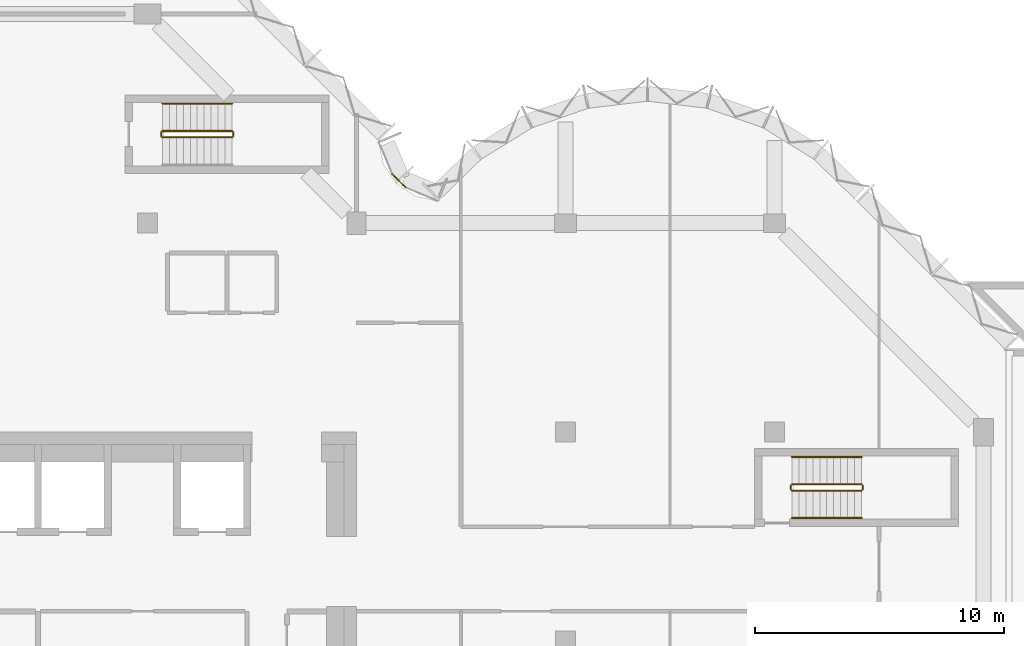
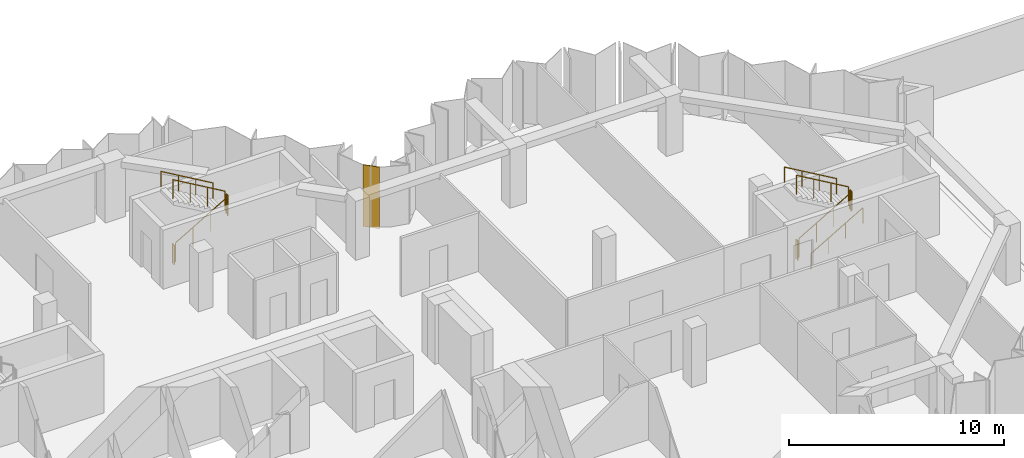
# One storey, part 9 of 9: 11 railings, 1 covering, 1 element without a shape of its own.
"""IFC4 building model written with IfcOpenShell, lengths in metres."""

from ifc_helpers import new_model, si_unit, direction, frame, origin, origin_2d, place, context, subcontext, project, spatial, polyline, circle, outline, extrude, material, layer, layer_set, type_object, element, aggregate, save


model = new_model("IFC4")

# Units and contexts
model_context = context("Model", 3, precision=1e-05, world=origin(), true_north=direction((0.0, 1.0)))
body_context = subcontext(model_context, "Body", "Model", "MODEL_VIEW")
ifc_project = project(units=[si_unit("LENGTHUNIT", "METRE"), si_unit("AREAUNIT", "SQUARE_METRE"), si_unit("VOLUMEUNIT", "CUBIC_METRE"), si_unit("PLANEANGLEUNIT", "RADIAN"), si_unit("MASSUNIT", "GRAM", prefix="KILO")], contexts=[model_context])

# Site, building, storey
site_placement = place(None, origin())
site = spatial("IfcSite", under=ifc_project, at=site_placement, CompositionType="ELEMENT")
building_placement = place(site_placement, origin())
building = spatial("IfcBuilding", under=site, at=building_placement, Name="Brevane Broadcast Tower", CompositionType="ELEMENT")
storey_placement = place(building_placement, frame((0.0, 0.0, 222.89990234375)))
storey = spatial("IfcBuildingStorey", under=building, at=storey_placement, Name="L56", CompositionType="ELEMENT", Elevation=222.89990234375)

# Railings
ifc_material_1 = material(Name="Steel S355", Category="steel")
railing_type_1 = type_object("IfcRailingType", Name="Exit stair guard", PredefinedType="GUARDRAIL", material=ifc_material_1)
railing_1_placement = place(storey_placement, frame((17.39990234375, 28.64990234375, 0.163818359375)))
element("IfcRailing", 1, at=railing_1_placement, inside=storey, type_object=railing_type_1, Name="L56 ST-3 stair guard 1", PredefinedType="GUARDRAIL", context=body_context, shape_type="SweptSolid", body=[
    extrude(circle(Radius=0.02392578125, at=origin_2d()), frame((0.0, 0.0, 1.076171875), z_axis=(0.863393664356, 0.0, 0.504530851732), x_axis=(0.0, 1.0, 0.0)), (0.0, 0.0, 1.0), 3.2431640625),
    extrude(circle(Radius=0.02099609375, at=origin_2d()), origin(), (0.0, 0.0, 1.0), 1.052001953125),
    extrude(circle(Radius=0.02099609375, at=origin_2d()), frame((0.933349609375, 0.0, 0.54541015625)), (0.0, 0.0, 1.0), 1.052001953125),
    extrude(circle(Radius=0.02099609375, at=origin_2d()), frame((1.86669921875, 0.0, 1.0908203125)), (0.0, 0.0, 1.0), 1.052001953125),
    extrude(circle(Radius=0.02099609375, at=origin_2d()), frame((2.800048828125, 0.0, 1.63623046875)), (0.0, 0.0, 1.0), 1.052001953125),
])
railing_2_placement = place(storey_placement, frame((20.25, 28.699951171875, 1.800048828125)))
element("IfcRailing", 2, at=railing_2_placement, inside=storey, type_object=railing_type_1, Name="L56 ST-3 stair guard 2", PredefinedType="GUARDRAIL", context=body_context, shape_type="SweptSolid", body=[
    extrude(circle(Radius=0.02392578125, at=origin_2d()), frame((0.0, 0.0, 1.076171875), z_axis=(0.0, 1.0, 0.0), x_axis=(-1.0, 0.0, 0.0)), (0.0, 0.0, 1.0), 0.150146484375),
    extrude(circle(Radius=0.02099609375, at=origin_2d()), origin(), (0.0, 0.0, 1.0), 1.052001953125),
    extrude(circle(Radius=0.02099609375, at=origin_2d()), frame((0.0, 0.150146484375, 0.0)), (0.0, 0.0, 1.0), 1.052001953125),
])
railing_3_placement = place(storey_placement, frame((20.199951171875, 28.89990234375, 1.963623046875)))
element("IfcRailing", 3, at=railing_3_placement, inside=storey, type_object=railing_type_1, Name="L56 ST-3 stair guard 3", PredefinedType="GUARDRAIL", context=body_context, shape_type="SweptSolid", body=[
    extrude(circle(Radius=0.02392578125, at=origin_2d()), frame((0.0, 0.0, 1.076171875), z_axis=(-0.863360870873, 0.0, 0.504586966384), x_axis=(0.0, -1.0, 0.0)), (0.0, 0.0, 1.0), 3.2431640625),
    extrude(circle(Radius=0.02099609375, at=origin_2d()), origin(), (0.0, 0.0, 1.0), 1.052001953125),
    extrude(circle(Radius=0.02099609375, at=origin_2d()), frame((-0.933349609375, 0.0, 0.54541015625)), (0.0, 0.0, 1.0), 1.052001953125),
    extrude(circle(Radius=0.02099609375, at=origin_2d()), frame((-1.86669921875, 0.0, 1.091064453125)), (0.0, 0.0, 1.0), 1.052001953125),
    extrude(circle(Radius=0.02099609375, at=origin_2d()), frame((-2.800048828125, 0.0, 1.636474609375)), (0.0, 0.0, 1.0), 1.052001953125),
])
railing_4_placement = place(storey_placement, frame((17.35009765625, 28.699951171875, 0.0)))
element("IfcRailing", 4, at=railing_4_placement, inside=storey, type_object=railing_type_1, Name="L56 ST-3 stair guard 4", PredefinedType="GUARDRAIL", context=body_context, shape_type="SweptSolid", body=[
    extrude(circle(Radius=0.02392578125, at=origin_2d()), frame((0.0, 0.0, 1.076171875), z_axis=(0.0, 1.0, 0.0), x_axis=(-1.0, 0.0, 0.0)), (0.0, 0.0, 1.0), 0.150146484375),
    extrude(circle(Radius=0.02099609375, at=origin_2d()), origin(), (0.0, 0.0, 1.0), 1.052001953125),
    extrude(circle(Radius=0.02099609375, at=origin_2d()), frame((0.0, 0.150146484375, 0.0)), (0.0, 0.0, 1.0), 1.052001953125),
])
railing_5_placement = place(storey_placement, frame((42.699951171875, 14.449951171875, 0.163818359375)))
element("IfcRailing", 5, at=railing_5_placement, inside=storey, type_object=railing_type_1, Name="L56 ST-4 stair guard 1", PredefinedType="GUARDRAIL", context=body_context, shape_type="SweptSolid", body=[
    extrude(circle(Radius=0.02392578125, at=origin_2d()), frame((0.0, 0.0, 1.076171875), z_axis=(0.863393664356, 0.0, 0.504530851732), x_axis=(0.0, 1.0, 0.0)), (0.0, 0.0, 1.0), 3.2431640625),
    extrude(circle(Radius=0.02099609375, at=origin_2d()), origin(), (0.0, 0.0, 1.0), 1.052001953125),
    extrude(circle(Radius=0.02099609375, at=origin_2d()), frame((0.933349609375, 0.0, 0.54541015625)), (0.0, 0.0, 1.0), 1.052001953125),
    extrude(circle(Radius=0.02099609375, at=origin_2d()), frame((1.86669921875, 0.0, 1.0908203125)), (0.0, 0.0, 1.0), 1.052001953125),
    extrude(circle(Radius=0.02099609375, at=origin_2d()), frame((2.800048828125, 0.0, 1.63623046875)), (0.0, 0.0, 1.0), 1.052001953125),
])
railing_6_placement = place(storey_placement, frame((45.550048828125, 14.5, 1.800048828125)))
element("IfcRailing", 6, at=railing_6_placement, inside=storey, type_object=railing_type_1, Name="L56 ST-4 stair guard 2", PredefinedType="GUARDRAIL", context=body_context, shape_type="SweptSolid", body=[
    extrude(circle(Radius=0.02392578125, at=origin_2d()), frame((0.0, 0.0, 1.076171875), z_axis=(0.0, 1.0, 0.0), x_axis=(-1.0, 0.0, 0.0)), (0.0, 0.0, 1.0), 0.14990234375),
    extrude(circle(Radius=0.02099609375, at=origin_2d()), origin(), (0.0, 0.0, 1.0), 1.052001953125),
    extrude(circle(Radius=0.02099609375, at=origin_2d()), frame((0.0, 0.14990234375, 0.0)), (0.0, 0.0, 1.0), 1.052001953125),
])
railing_7_placement = place(storey_placement, frame((45.5, 14.699951171875, 1.963623046875)))
element("IfcRailing", 7, at=railing_7_placement, inside=storey, type_object=railing_type_1, Name="L56 ST-4 stair guard 3", PredefinedType="GUARDRAIL", context=body_context, shape_type="SweptSolid", body=[
    extrude(circle(Radius=0.02392578125, at=origin_2d()), frame((0.0, 0.0, 1.076171875), z_axis=(-0.863360870873, 0.0, 0.504586966384), x_axis=(0.0, -1.0, 0.0)), (0.0, 0.0, 1.0), 3.2431640625),
    extrude(circle(Radius=0.02099609375, at=origin_2d()), origin(), (0.0, 0.0, 1.0), 1.052001953125),
    extrude(circle(Radius=0.02099609375, at=origin_2d()), frame((-0.933349609375, 0.0, 0.54541015625)), (0.0, 0.0, 1.0), 1.052001953125),
    extrude(circle(Radius=0.02099609375, at=origin_2d()), frame((-1.86669921875, 0.0, 1.091064453125)), (0.0, 0.0, 1.0), 1.052001953125),
    extrude(circle(Radius=0.02099609375, at=origin_2d()), frame((-2.800048828125, 0.0, 1.636474609375)), (0.0, 0.0, 1.0), 1.052001953125),
])
railing_8_placement = place(storey_placement, frame((42.64990234375, 14.5, 0.0)))
element("IfcRailing", 8, at=railing_8_placement, inside=storey, type_object=railing_type_1, Name="L56 ST-4 stair guard 4", PredefinedType="GUARDRAIL", context=body_context, shape_type="SweptSolid", body=[
    extrude(circle(Radius=0.02392578125, at=origin_2d()), frame((0.0, 0.0, 1.076171875), z_axis=(0.0, 1.0, 0.0), x_axis=(-1.0, 0.0, 0.0)), (0.0, 0.0, 1.0), 0.14990234375),
    extrude(circle(Radius=0.02099609375, at=origin_2d()), origin(), (0.0, 0.0, 1.0), 1.052001953125),
    extrude(circle(Radius=0.02099609375, at=origin_2d()), frame((0.0, 0.14990234375, 0.0)), (0.0, 0.0, 1.0), 1.052001953125),
])
railing_type_2 = type_object("IfcRailingType", Name="Exit stair handrail", PredefinedType="HANDRAIL", material=ifc_material_1)
railing_9_placement = place(storey_placement, frame((20.199951171875, 30.0, 1.963623046875)))
element("IfcRailing", 9, at=railing_9_placement, inside=storey, type_object=railing_type_2, Name="L56 ST-3 stair handrail 2", PredefinedType="HANDRAIL", context=body_context, shape_type="SweptSolid", body=[
    extrude(circle(Radius=0.02392578125, at=origin_2d()), frame((0.0, 0.0, 0.8759765625), z_axis=(-0.863360870873, 0.0, 0.504586966384), x_axis=(0.0, -1.0, 0.0)), (0.0, 0.0, 1.0), 3.2431640625),
    extrude(circle(Radius=0.02099609375, at=origin_2d()), origin(), (0.0, 0.0, 1.0), 0.851806640625),
    extrude(circle(Radius=0.02099609375, at=origin_2d()), frame((-0.933349609375, 0.0, 0.54541015625)), (0.0, 0.0, 1.0), 0.851806640625),
    extrude(circle(Radius=0.02099609375, at=origin_2d()), frame((-1.86669921875, 0.0, 1.091064453125)), (0.0, 0.0, 1.0), 0.851806640625),
    extrude(circle(Radius=0.02099609375, at=origin_2d()), frame((-2.800048828125, 0.0, 1.636474609375)), (0.0, 0.0, 1.0), 0.851806640625),
])
railing_10_placement = place(storey_placement, frame((42.699951171875, 13.35009765625, 0.163818359375)))
element("IfcRailing", 10, at=railing_10_placement, inside=storey, type_object=railing_type_2, Name="L56 ST-4 stair handrail 1", PredefinedType="HANDRAIL", context=body_context, shape_type="SweptSolid", body=[
    extrude(circle(Radius=0.02392578125, at=origin_2d()), frame((0.0, 0.0, 0.8759765625), z_axis=(0.863393664356, 0.0, 0.504530851732), x_axis=(0.0, 1.0, 0.0)), (0.0, 0.0, 1.0), 3.2431640625),
    extrude(circle(Radius=0.02099609375, at=origin_2d()), origin(), (0.0, 0.0, 1.0), 0.851806640625),
    extrude(circle(Radius=0.02099609375, at=origin_2d()), frame((0.933349609375, 0.0, 0.54541015625)), (0.0, 0.0, 1.0), 0.851806640625),
    extrude(circle(Radius=0.02099609375, at=origin_2d()), frame((1.86669921875, 0.0, 1.0908203125)), (0.0, 0.0, 1.0), 0.851806640625),
    extrude(circle(Radius=0.02099609375, at=origin_2d()), frame((2.800048828125, 0.0, 1.63623046875)), (0.0, 0.0, 1.0), 0.851806640625),
])
railing_11_placement = place(storey_placement, frame((45.5, 15.800048828125, 1.963623046875)))
element("IfcRailing", 11, at=railing_11_placement, inside=storey, type_object=railing_type_2, Name="L56 ST-4 stair handrail 2", PredefinedType="HANDRAIL", context=body_context, shape_type="SweptSolid", body=[
    extrude(circle(Radius=0.02392578125, at=origin_2d()), frame((0.0, 0.0, 0.8759765625), z_axis=(-0.863360870873, 0.0, 0.504586966384), x_axis=(0.0, -1.0, 0.0)), (0.0, 0.0, 1.0), 3.2431640625),
    extrude(circle(Radius=0.02099609375, at=origin_2d()), origin(), (0.0, 0.0, 1.0), 0.851806640625),
    extrude(circle(Radius=0.02099609375, at=origin_2d()), frame((-0.933349609375, 0.0, 0.54541015625)), (0.0, 0.0, 1.0), 0.851806640625),
    extrude(circle(Radius=0.02099609375, at=origin_2d()), frame((-1.86669921875, 0.0, 1.091064453125)), (0.0, 0.0, 1.0), 0.851806640625),
    extrude(circle(Radius=0.02099609375, at=origin_2d()), frame((-2.800048828125, 0.0, 1.636474609375)), (0.0, 0.0, 1.0), 0.851806640625),
])

# Curtain wall, covering
ifc_material_2 = material(Name="Aluminium 6063-T6 bronze anodised", Category="aluminium")
curtain_wall_type = type_object("IfcCurtainWallType", Name="CW-1 curtain wall", PredefinedType="NOTDEFINED", material=ifc_material_2)
curtain_wall_placement = place(storey_placement, origin())
curtain_wall = element("IfcCurtainWall", 12, at=curtain_wall_placement, inside=storey, type_object=curtain_wall_type, Name="CW-1 typical tilted unit L56 inner corner", PredefinedType="NOTDEFINED")
ifc_material_3 = material(Name="Back-painted bronze glass shadow-box", Category="glass")
ifc_layer = layer(ifc_material_3, 0.0400390625)
ifc_layer_set = layer_set([ifc_layer], Name="Shadow-box panel 40")
covering_type = type_object("IfcCoveringType", Name="Shadow-box panel 40", PredefinedType="CLADDING", material=ifc_layer_set)
covering_placement = place(storey_placement, frame((0.0, 0.0, -0.14990234375)))
covering = element("IfcCovering", 13, at=covering_placement, type_object=covering_type, Name="Closure panel", PredefinedType="CLADDING", context=body_context, shape_type="SweptSolid", body=[
    extrude(outline(polyline([(27.17138671875, 26.60498046875), (27.2021484375, 26.635498046875), (26.635498046875, 27.2021484375), (26.60498046875, 27.17138671875), (27.17138671875, 26.60498046875)])), origin(), (0.0, 0.0, 1.0), 3.5),
])
aggregate(curtain_wall, [covering])

save(model, "model.ifc")
